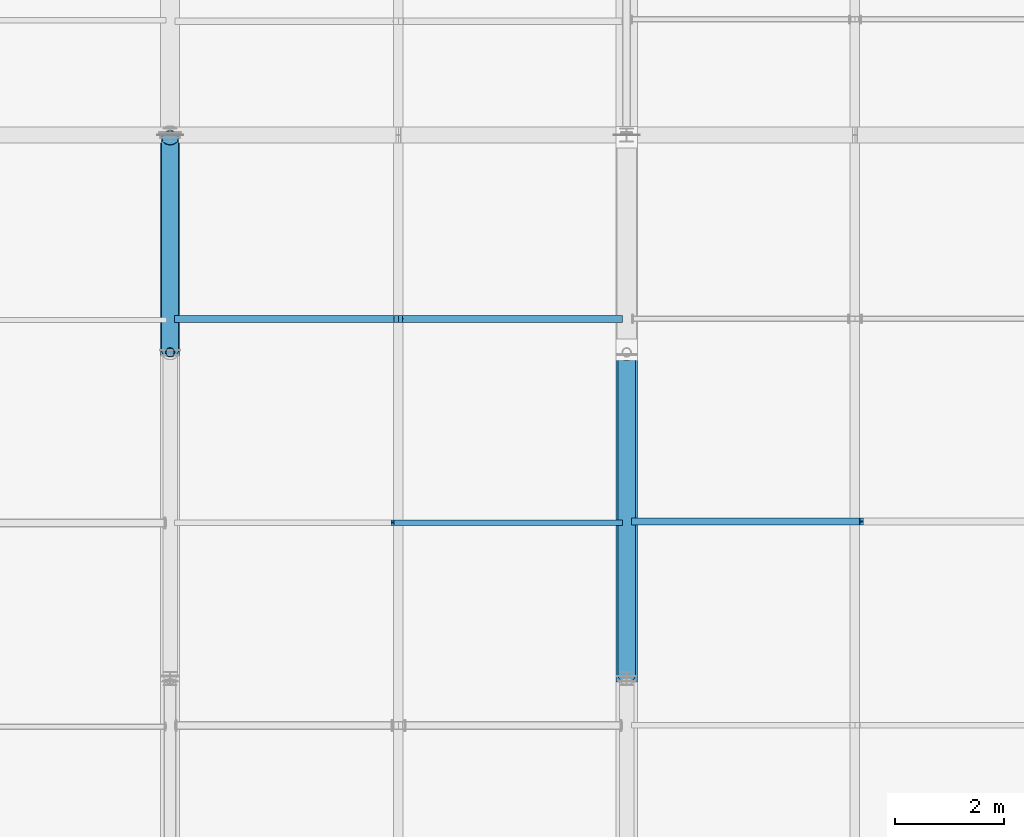
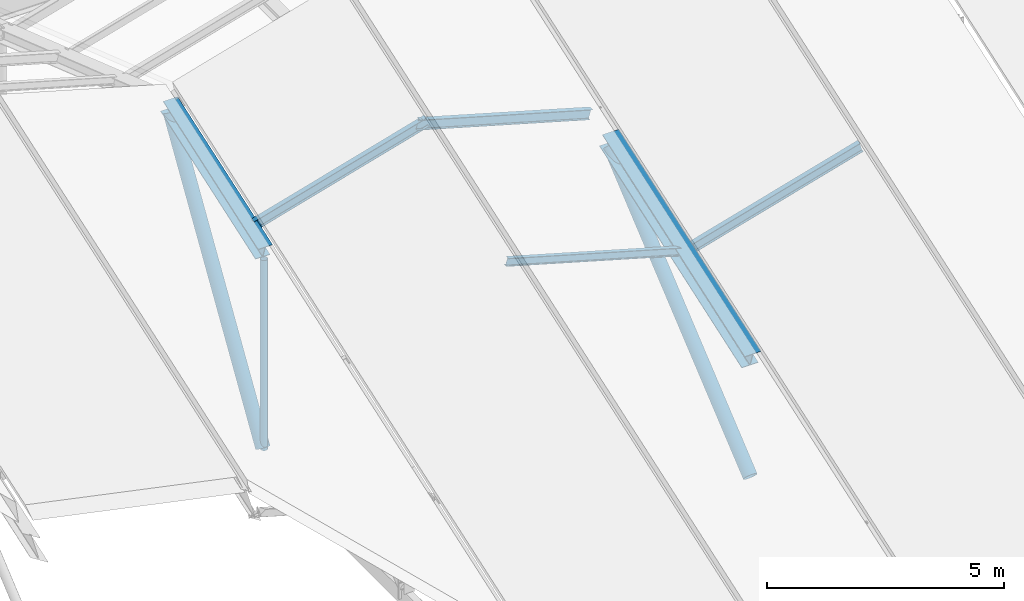
# One storey, part 25 of 77: 9 members.
"""IFC4 building model written with IfcOpenShell, lengths in metres."""

from ifc_helpers import new_model, si_unit, direction, frame, origin, origin_2d, place, context, subcontext, project, spatial, hollow_circle, i_section, extrude, material, material_profile, profile_set, type_object, element, save


model = new_model("IFC4")

# Units and contexts
model_context = context("Model", 3, precision=1e-05, world=origin(), true_north=direction((0.0, 1.0)))
body_context = subcontext(model_context, "Body", "Model", "MODEL_VIEW")
ifc_project = project(units=[si_unit("LENGTHUNIT", "METRE"), si_unit("AREAUNIT", "SQUARE_METRE"), si_unit("VOLUMEUNIT", "CUBIC_METRE"), si_unit("PLANEANGLEUNIT", "RADIAN"), si_unit("MASSUNIT", "GRAM", prefix="KILO")], contexts=[model_context])

# Site, building, storey
site_placement = place(None, origin())
site = spatial("IfcSite", under=ifc_project, at=site_placement, CompositionType="ELEMENT")
building_placement = place(site_placement, origin())
building = spatial("IfcBuilding", under=site, at=building_placement, Name="Larkvane Passage Sports Hall", CompositionType="ELEMENT")
storey_placement = place(building_placement, frame((0.0, 0.0, 22.199951171875)))
storey = spatial("IfcBuildingStorey", under=building, at=storey_placement, Name="RF", CompositionType="ELEMENT", Elevation=22.199951171875)

# Members
ifc_material_1 = material(Name="Steel S460N", Category="steel")
ifc_material_profile_1 = material_profile(ifc_material_1, hollow_circle(Radius=0.1591796875, WallThickness=0.01025390625, at=origin_2d()), Name="CHS-318.5x10.3")
ifc_profile_set_1 = profile_set([ifc_material_profile_1], Name="Steel S460N")
member_type_1 = type_object("IfcMemberType", Name="MBR-BR-CHS318", PredefinedType="BRACE", material=ifc_profile_set_1)
member_1_placement = place(storey_placement, frame((68.39990234375, 57.64990234375, 0.239990234375), z_axis=(0.0, 0.527873568631, 0.849322963037), x_axis=(-1.0, 0.0, 0.0)))
element("IfcMember", 1, at=member_1_placement, inside=storey, type_object=member_type_1, Name="Arena roof truss 5 web brace 4", PredefinedType="BRACE", context=body_context, shape_type="SweptSolid", body=[
    extrude(hollow_circle(Radius=0.1591796875, WallThickness=0.01025390625, at=origin_2d()), origin(), (0.0, 0.0, 1.0), 7.388427734375),
])
member_2_placement = place(storey_placement, frame((76.800048828125, 51.64990234375, 0.18994140625), z_axis=(0.0, 0.768130087467, 0.640293814376), x_axis=(-1.0, 0.0, 0.0)))
element("IfcMember", 2, at=member_2_placement, inside=storey, type_object=member_type_1, Name="Arena roof truss 6 web brace 3", PredefinedType="BRACE", context=body_context, shape_type="SweptSolid", body=[
    extrude(hollow_circle(Radius=0.1591796875, WallThickness=0.01025390625, at=origin_2d()), origin(), (0.0, 0.0, 1.0), 7.68115234375),
])
ifc_material_profile_2 = material_profile(ifc_material_1, i_section(OverallWidth=0.35009765625, OverallDepth=0.35009765625, WebThickness=0.011962890625, FlangeThickness=0.01904296875, FilletRadius=0.012939453125, at=origin_2d()), Name="H-350x350x12x19")
ifc_profile_set_2 = profile_set([ifc_material_profile_2], Name="Steel S460N")
member_type_2 = type_object("IfcMemberType", Name="MBR-CH-H350", PredefinedType="CHORD", material=ifc_profile_set_2)
member_3_placement = place(storey_placement, frame((68.39990234375, 57.60009765625, 5.29833984375), z_axis=(0.0, 0.945206714131, 0.326472460649), x_axis=(-1.0, 0.0, 0.0)))
element("IfcMember", 3, at=member_3_placement, inside=storey, type_object=member_type_2, Name="Arena roof truss 5 top chord 4", PredefinedType="CHORD", context=body_context, shape_type="SweptSolid", body=[
    extrude(i_section(OverallWidth=0.35009765625, OverallDepth=0.35009765625, WebThickness=0.011962890625, FlangeThickness=0.01904296875, FilletRadius=0.012939453125, at=origin_2d()), origin(), (0.0, 0.0, 1.0), 4.23193359375),
])
ifc_material_profile_3 = material_profile(ifc_material_1, i_section(OverallWidth=0.39990234375, OverallDepth=0.39990234375, WebThickness=0.012939453125, FlangeThickness=0.02099609375, FilletRadius=0.02197265625, at=origin_2d()), Name="H-400x400x13x21")
ifc_profile_set_3 = profile_set([ifc_material_profile_3], Name="Steel S460N")
member_type_3 = type_object("IfcMemberType", Name="MBR-CH-H400", PredefinedType="CHORD", material=ifc_profile_set_3)
member_4_placement = place(storey_placement, frame((76.800048828125, 51.60009765625, 3.2255859375), z_axis=(0.0, 0.945188910593, 0.326524001096), x_axis=(-1.0, 0.0, 0.0)))
element("IfcMember", 4, at=member_4_placement, inside=storey, type_object=member_type_3, Name="Arena roof truss 6 top chord 3", PredefinedType="CHORD", context=body_context, shape_type="SweptSolid", body=[
    extrude(i_section(OverallWidth=0.39990234375, OverallDepth=0.39990234375, WebThickness=0.012939453125, FlangeThickness=0.02099609375, FilletRadius=0.02197265625, at=origin_2d()), origin(), (0.0, 0.0, 1.0), 6.347900390625),
])
ifc_material_2 = material(Name="Steel S355JR", Category="steel")
ifc_material_profile_4 = material_profile(ifc_material_2, i_section(OverallWidth=0.10009765625, OverallDepth=0.199951171875, WebThickness=0.005615234375, FlangeThickness=0.008056640625, FilletRadius=0.008056640625, at=origin_2d()), Name="H-200x100x5.5x8")
ifc_profile_set_4 = profile_set([ifc_material_profile_4], Name="Steel S355JR")
member_type_4 = type_object("IfcMemberType", Name="MBR-PR-H200", PredefinedType="PURLIN", material=ifc_profile_set_4)
member_5_placement = place(storey_placement, frame((72.494384765625, 54.4677734375, 5.5224609375), z_axis=(0.96152605678, 0.0, -0.274713745804), x_axis=(0.0, 1.0, 0.0)))
element("IfcMember", 5, at=member_5_placement, inside=storey, type_object=member_type_4, Name="Folded roof purlin FRP-B5-SE-4", PredefinedType="PURLIN", context=body_context, shape_type="SweptSolid", body=[
    extrude(i_section(OverallWidth=0.10009765625, OverallDepth=0.199951171875, WebThickness=0.005615234375, FlangeThickness=0.008056640625, FilletRadius=0.008056640625, at=origin_2d()), origin(), (0.0, 0.0, 1.0), 4.367919921875),
])
ifc_material_profile_5 = material_profile(ifc_material_2, i_section(OverallWidth=0.125, OverallDepth=0.25, WebThickness=0.006103515625, FlangeThickness=0.009033203125, FilletRadius=0.008056640625, at=origin_2d()), Name="H-250x125x6x9")
ifc_profile_set_5 = profile_set([ifc_material_profile_5], Name="Steel S355JR")
member_type_5 = type_object("IfcMemberType", Name="MBR-PR-H250", PredefinedType="PURLIN", material=ifc_profile_set_5)
member_6_placement = place(storey_placement, frame((68.51220703125, 58.215576171875, 5.591552734375), z_axis=(0.961511291812, 0.0, 0.274765419436), x_axis=(0.0, 1.0, 0.0)))
element("IfcMember", 6, at=member_6_placement, inside=storey, type_object=member_type_5, Name="Folded roof purlin FRP-B5-SW-5", PredefinedType="PURLIN", context=body_context, shape_type="SweptSolid", body=[
    extrude(i_section(OverallWidth=0.125, OverallDepth=0.25, WebThickness=0.006103515625, FlangeThickness=0.009033203125, FilletRadius=0.008056640625, at=origin_2d()), origin(), (0.0, 0.0, 1.0), 4.3681640625),
])
member_7_placement = place(storey_placement, frame((72.48779296875, 58.215576171875, 6.791748046875), z_axis=(0.961515511102, 0.0, -0.274750654067), x_axis=(0.0, 1.0, 0.0)))
element("IfcMember", 7, at=member_7_placement, inside=storey, type_object=member_type_5, Name="Folded roof purlin FRP-B5-SE-5", PredefinedType="PURLIN", context=body_context, shape_type="SweptSolid", body=[
    extrude(i_section(OverallWidth=0.125, OverallDepth=0.25, WebThickness=0.006103515625, FlangeThickness=0.009033203125, FilletRadius=0.008056640625, at=origin_2d()), origin(), (0.0, 0.0, 1.0), 4.368408203125),
])
member_8_placement = place(storey_placement, frame((76.922607421875, 54.488037109375, 4.26318359375), z_axis=(0.96152605678, 0.0, 0.274713745804), x_axis=(0.0, 1.0, 0.0)))
element("IfcMember", 8, at=member_8_placement, inside=storey, type_object=member_type_5, Name="Folded roof purlin FRP-B6-SW-4", PredefinedType="PURLIN", context=body_context, shape_type="SweptSolid", body=[
    extrude(i_section(OverallWidth=0.125, OverallDepth=0.25, WebThickness=0.006103515625, FlangeThickness=0.009033203125, FilletRadius=0.008056640625, at=origin_2d()), origin(), (0.0, 0.0, 1.0), 4.367919921875),
])
ifc_material_profile_6 = material_profile(ifc_material_2, hollow_circle(Radius=0.08251953125, WallThickness=0.006103515625, at=origin_2d()), Name="CHS-165.2x6.0")
ifc_profile_set_6 = profile_set([ifc_material_profile_6], Name="Steel S355JR")
member_type_6 = type_object("IfcMemberType", Name="MBR-ST-CHS165", PredefinedType="STRUT", material=ifc_profile_set_6)
member_9_placement = place(storey_placement, frame((68.39990234375, 57.60009765625, 0.239990234375), z_axis=(0.0, 0.0, 1.0), x_axis=(1.0, 0.0, 0.0)))
element("IfcMember", 9, at=member_9_placement, inside=storey, type_object=member_type_6, Name="Arena roof truss 5 vertical strut 3", PredefinedType="STRUT", context=body_context, shape_type="SweptSolid", body=[
    extrude(hollow_circle(Radius=0.08251953125, WallThickness=0.006103515625, at=origin_2d()), origin(), (0.0, 0.0, 1.0), 4.893310546875),
])

save(model, "model.ifc")
